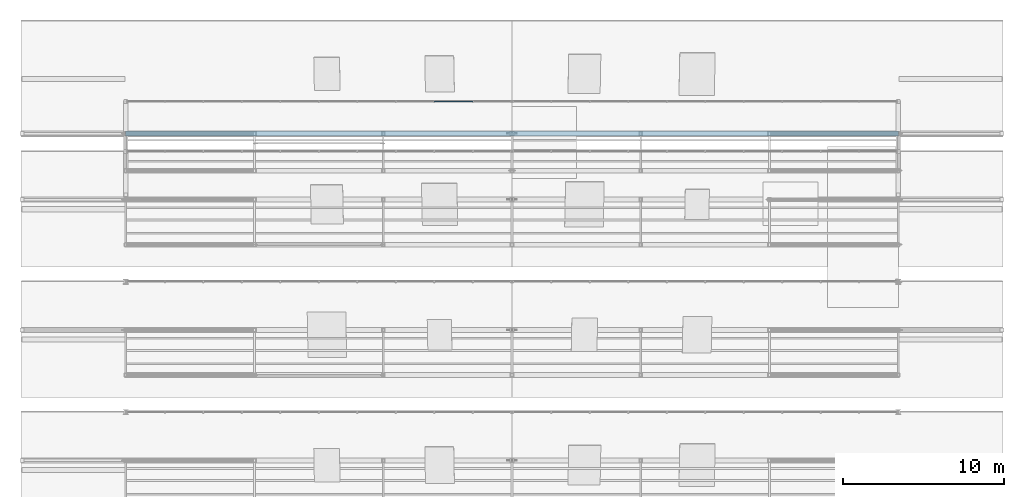
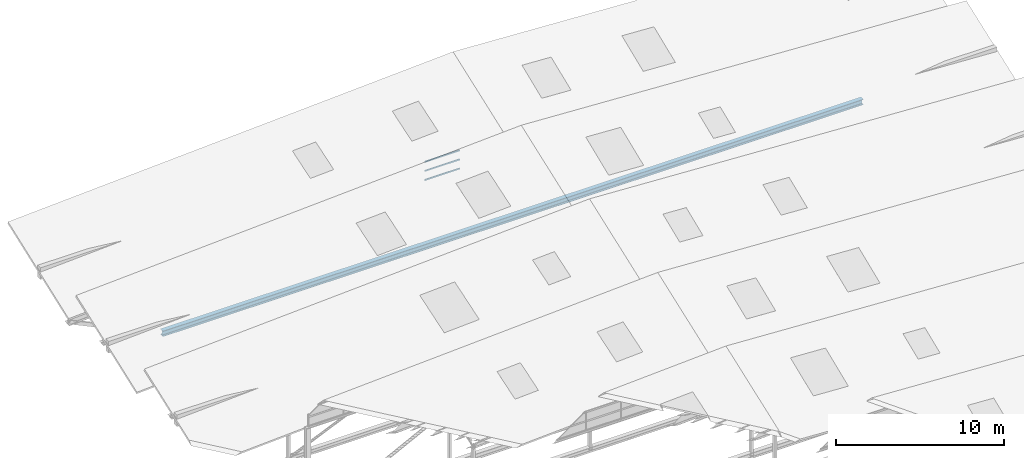
# One storey, part 103 of 141: 4 members, 1 element without a shape of its own.
"""IFC4 building model written with IfcOpenShell, lengths in metres."""

from ifc_helpers import new_model, si_unit, direction, frame, origin, origin_2d, place, context, subcontext, project, spatial, hollow_rectangle, i_section, extrude, material, material_profile, profile_set, type_object, element, aggregate, save


model = new_model("IFC4")

# Units and contexts
model_context = context("Model", 3, precision=1e-05, world=origin(), true_north=direction((0.0, 1.0)))
body_context = subcontext(model_context, "Body", "Model", "MODEL_VIEW")
ifc_project = project(units=[si_unit("LENGTHUNIT", "METRE"), si_unit("AREAUNIT", "SQUARE_METRE"), si_unit("VOLUMEUNIT", "CUBIC_METRE"), si_unit("PLANEANGLEUNIT", "RADIAN"), si_unit("MASSUNIT", "GRAM", prefix="KILO")], contexts=[model_context])

# Site, building, storey
site_placement = place(None, origin())
site = spatial("IfcSite", under=ifc_project, at=site_placement, CompositionType="ELEMENT")
building_placement = place(site_placement, origin())
building = spatial("IfcBuilding", under=site, at=building_placement, Name="Sundkrona Museum", CompositionType="ELEMENT")
storey_placement = place(building_placement, frame((0.0, 0.0, 34.0)))
storey = spatial("IfcBuildingStorey", under=building, at=storey_placement, Name="RF", CompositionType="ELEMENT", Elevation=34.0)

# Member
ifc_material_1 = material(Name="Steel S355J2", Category="steel")
ifc_material_profile_1 = material_profile(ifc_material_1, i_section(OverallWidth=0.300048828125, OverallDepth=0.39990234375, WebThickness=0.013427734375, FlangeThickness=0.02392578125, FilletRadius=0.027099609375, at=origin_2d()), Name="HEB 400")
ifc_profile_set_1 = profile_set([ifc_material_profile_1], Name="Steel S355J2")
member_type_1 = type_object("IfcMemberType", Name="TC-HEB400", PredefinedType="CHORD", material=ifc_profile_set_1)
member_1_placement = place(storey_placement, frame((120.0, 43.800048828125, -0.25), z_axis=(1.0, 0.0, 0.0), x_axis=(0.0, 1.0, 0.0)))
element("IfcMember", 1, at=member_1_placement, inside=storey, type_object=member_type_1, Name="RFS-1 Sawtooth Truss 7 Continuous Bottom Tie Chord", PredefinedType="CHORD", context=body_context, shape_type="SweptSolid", body=[
    extrude(i_section(OverallWidth=0.300048828125, OverallDepth=0.39990234375, WebThickness=0.013427734375, FlangeThickness=0.02392578125, FilletRadius=0.027099609375, at=origin_2d()), origin(), (0.0, 0.0, 1.0), 48.0),
])

# Curtain wall, members
ifc_material_2 = material(Name="Unitised Aluminium-Steel and Ceramic-Clad Curtain Walling", Category="steel")
curtain_wall_type = type_object("IfcCurtainWallType", Name="CW-SW-240x13", PredefinedType="NOTDEFINED", material=ifc_material_2)
curtain_wall_placement = place(storey_placement, origin())
curtain_wall = element("IfcCurtainWall", 2, at=curtain_wall_placement, inside=storey, type_object=curtain_wall_type, Name="Sawtooth Bay 7 West North-Light Clerestory", PredefinedType="NOTDEFINED")
ifc_material_3 = material(Name="Aluminium EN AW-6060 T66", Category="aluminium")
ifc_material_profile_2 = material_profile(ifc_material_3, hollow_rectangle(XDim=0.050048828125, YDim=0.10009765625, WallThickness=0.0048828125, at=origin_2d()), Name="RHS 100x50x5.0")
ifc_profile_set_2 = profile_set([ifc_material_profile_2], Name="Aluminium EN AW-6060 T66")
member_type_2 = type_object("IfcMemberType", Name="TR-100", PredefinedType="USERDEFINED", material=ifc_profile_set_2)
member_2_placement = place(storey_placement, frame((139.169921875, 45.800048828125, 2.89306640625), z_axis=(1.0, 0.0, 0.0), x_axis=(0.0, 1.0, 0.0)))
member_2 = element("IfcMember", 3, at=member_2_placement, type_object=member_type_2, Name="CW-RF-SAW-07W Transom 25", ObjectType="TRANSOM", PredefinedType="USERDEFINED", context=body_context, shape_type="SweptSolid", body=[
    extrude(hollow_rectangle(XDim=0.050048828125, YDim=0.10009765625, WallThickness=0.0048828125, at=origin_2d()), origin(), (0.0, 0.0, 1.0), 2.39013671875),
])
member_3_placement = place(storey_placement, frame((139.169921875, 45.800048828125, 3.552978515625), z_axis=(1.0, 0.0, 0.0), x_axis=(0.0, 1.0, 0.0)))
member_3 = element("IfcMember", 4, at=member_3_placement, type_object=member_type_2, Name="CW-RF-SAW-07W Transom 26", ObjectType="TRANSOM", PredefinedType="USERDEFINED", context=body_context, shape_type="SweptSolid", body=[
    extrude(hollow_rectangle(XDim=0.050048828125, YDim=0.10009765625, WallThickness=0.0048828125, at=origin_2d()), origin(), (0.0, 0.0, 1.0), 2.39013671875),
])
member_4_placement = place(storey_placement, frame((139.169921875, 45.800048828125, 4.212890625), z_axis=(1.0, 0.0, 0.0), x_axis=(0.0, 1.0, 0.0)))
member_4 = element("IfcMember", 5, at=member_4_placement, type_object=member_type_2, Name="CW-RF-SAW-07W Transom 27", ObjectType="TRANSOM", PredefinedType="USERDEFINED", context=body_context, shape_type="SweptSolid", body=[
    extrude(hollow_rectangle(XDim=0.050048828125, YDim=0.10009765625, WallThickness=0.0048828125, at=origin_2d()), origin(), (0.0, 0.0, 1.0), 2.39013671875),
])
aggregate(curtain_wall, [member_2, member_3, member_4])

save(model, "model.ifc")
